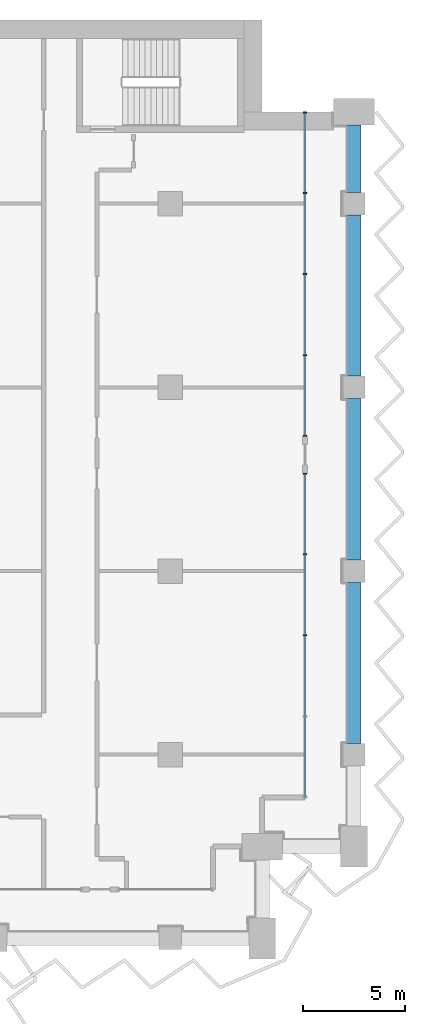
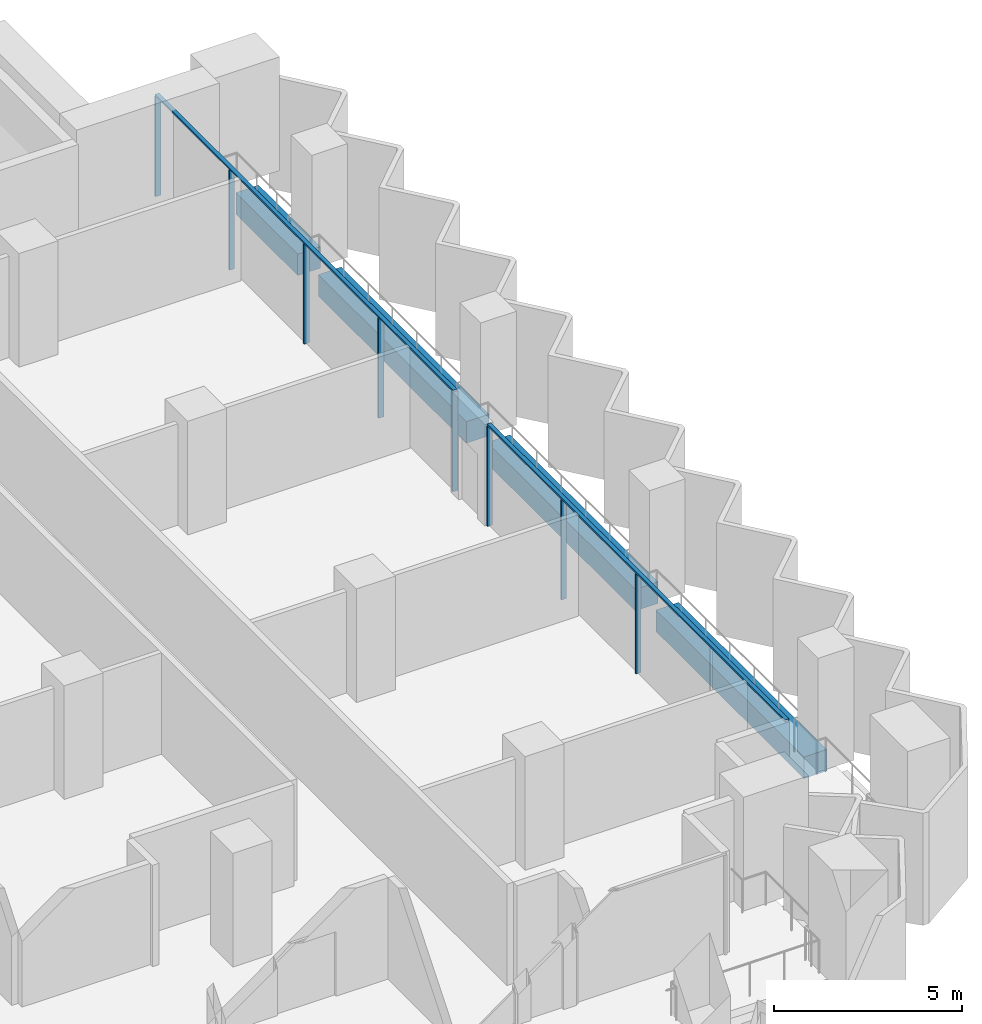
# One storey, part 5 of 22: 10 members, 4 beams, 2 elements without a shape of their own.
"""IFC4 building model written with IfcOpenShell, lengths in metres."""

from ifc_helpers import new_model, si_unit, direction, frame, origin, origin_2d, place, context, subcontext, project, spatial, rectangle, extrude, material, material_profile, profile_set, type_object, element, aggregate, save


model = new_model("IFC4")

# Units and contexts
model_context = context("Model", 3, precision=1e-05, world=origin(), true_north=direction((0.0, 1.0)))
body_context = subcontext(model_context, "Body", "Model", "MODEL_VIEW")
ifc_project = project(units=[si_unit("LENGTHUNIT", "METRE"), si_unit("AREAUNIT", "SQUARE_METRE"), si_unit("VOLUMEUNIT", "CUBIC_METRE"), si_unit("PLANEANGLEUNIT", "RADIAN"), si_unit("MASSUNIT", "GRAM", prefix="KILO")], contexts=[model_context])

# Site, building, storey
site_placement = place(None, origin())
site = spatial("IfcSite", under=ifc_project, at=site_placement, CompositionType="ELEMENT")
building_placement = place(site_placement, origin())
building = spatial("IfcBuilding", under=site, at=building_placement, Name="Hunhe Ridgeline Campus", CompositionType="ELEMENT")
storey_placement = place(building_placement, frame((0.0, 0.0, 137.5)))
storey = spatial("IfcBuildingStorey", under=building, at=storey_placement, Name="L34", CompositionType="ELEMENT", Elevation=137.5)

# Curtain wall, members
ifc_material_1 = material(Name="Aluminium 6063", Category="aluminium")
curtain_wall_type = type_object("IfcCurtainWallType", Name="Curtain wall CW-1", PredefinedType="NOTDEFINED", material=ifc_material_1)
curtain_wall_1_placement = place(storey_placement, origin())
curtain_wall_1 = element("IfcCurtainWall", 1, at=curtain_wall_1_placement, inside=storey, type_object=curtain_wall_type, Name="Curtain wall 15", PredefinedType="NOTDEFINED")
ifc_material_profile_1 = material_profile(ifc_material_1, rectangle(XDim=0.159912109375, YDim=0.06005859375, at=origin_2d()))
ifc_profile_set_1 = profile_set([ifc_material_profile_1], Name="Aluminium 6063")
member_type_1 = type_object("IfcMemberType", Name="CW-1 aluminium mullion", PredefinedType="MULLION", material=ifc_profile_set_1)
member_1_placement = place(storey_placement, frame((60.59912109375, 68.850830078125, 0.0), z_axis=(0.0, 0.0, 1.0), x_axis=(-1.0, 0.0, 0.0)))
member_1 = element("IfcMember", 2, at=member_1_placement, type_object=member_type_1, Name="CW-1 mullion 3", PredefinedType="MULLION", context=body_context, shape_type="SweptSolid", body=[
    extrude(rectangle(XDim=0.159912109375, YDim=0.06005859375, at=origin_2d()), origin(), (0.0, 0.0, 1.0), 3.239990234375),
])
member_2_placement = place(storey_placement, frame((60.59912109375, 72.82568359375, 0.0), z_axis=(0.0, 0.0, 1.0), x_axis=(-1.0, 0.0, 0.0)))
member_2 = element("IfcMember", 3, at=member_2_placement, type_object=member_type_1, Name="CW-1 mullion 4", PredefinedType="MULLION", context=body_context, shape_type="SweptSolid", body=[
    extrude(rectangle(XDim=0.159912109375, YDim=0.06005859375, at=origin_2d()), origin(), (0.0, 0.0, 1.0), 3.239990234375),
])
member_3_placement = place(storey_placement, frame((60.59912109375, 76.7705078125, 0.0), z_axis=(0.0, 0.0, 1.0), x_axis=(-1.0, 0.0, 0.0)))
member_3 = element("IfcMember", 4, at=member_3_placement, type_object=member_type_1, Name="CW-1 mullion 5", PredefinedType="MULLION", context=body_context, shape_type="SweptSolid", body=[
    extrude(rectangle(XDim=0.159912109375, YDim=0.06005859375, at=origin_2d()), origin(), (0.0, 0.0, 1.0), 3.239990234375),
])

curtain_wall_2_placement = place(storey_placement, origin())
curtain_wall_2 = element("IfcCurtainWall", 5, at=curtain_wall_2_placement, inside=storey, type_object=curtain_wall_type, Name="Curtain wall 16", PredefinedType="NOTDEFINED")
member_4_placement = place(storey_placement, frame((60.59912109375, 78.630615234375, 0.0), z_axis=(0.0, 0.0, 1.0), x_axis=(-1.0, 0.0, 0.0)))
member_4 = element("IfcMember", 6, at=member_4_placement, type_object=member_type_1, Name="CW-1 mullion 1", PredefinedType="MULLION", context=body_context, shape_type="SweptSolid", body=[
    extrude(rectangle(XDim=0.159912109375, YDim=0.06005859375, at=origin_2d()), origin(), (0.0, 0.0, 1.0), 3.239990234375),
])
member_5_placement = place(storey_placement, frame((60.59912109375, 82.575439453125, 0.0), z_axis=(0.0, 0.0, 1.0), x_axis=(-1.0, 0.0, 0.0)))
member_5 = element("IfcMember", 7, at=member_5_placement, type_object=member_type_1, Name="CW-1 mullion 2", PredefinedType="MULLION", context=body_context, shape_type="SweptSolid", body=[
    extrude(rectangle(XDim=0.159912109375, YDim=0.06005859375, at=origin_2d()), origin(), (0.0, 0.0, 1.0), 3.239990234375),
])
member_6_placement = place(storey_placement, frame((60.59912109375, 86.55029296875, 0.0), z_axis=(0.0, 0.0, 1.0), x_axis=(-1.0, 0.0, 0.0)))
member_6 = element("IfcMember", 8, at=member_6_placement, type_object=member_type_1, Name="CW-1 mullion 3", PredefinedType="MULLION", context=body_context, shape_type="SweptSolid", body=[
    extrude(rectangle(XDim=0.159912109375, YDim=0.06005859375, at=origin_2d()), origin(), (0.0, 0.0, 1.0), 3.239990234375),
])
member_7_placement = place(storey_placement, frame((60.59912109375, 90.525146484375, 0.0), z_axis=(0.0, 0.0, 1.0), x_axis=(-1.0, 0.0, 0.0)))
member_7 = element("IfcMember", 9, at=member_7_placement, type_object=member_type_1, Name="CW-1 mullion 4", PredefinedType="MULLION", context=body_context, shape_type="SweptSolid", body=[
    extrude(rectangle(XDim=0.159912109375, YDim=0.06005859375, at=origin_2d()), origin(), (0.0, 0.0, 1.0), 3.239990234375),
])
member_8_placement = place(storey_placement, frame((60.59912109375, 94.469970703125, 0.0), z_axis=(0.0, 0.0, 1.0), x_axis=(-1.0, 0.0, 0.0)))
member_8 = element("IfcMember", 10, at=member_8_placement, type_object=member_type_1, Name="CW-1 mullion 5", PredefinedType="MULLION", context=body_context, shape_type="SweptSolid", body=[
    extrude(rectangle(XDim=0.159912109375, YDim=0.06005859375, at=origin_2d()), origin(), (0.0, 0.0, 1.0), 3.239990234375),
])

# Member
ifc_material_profile_2 = material_profile(ifc_material_1, rectangle(XDim=0.1201171875, YDim=0.06005859375, at=origin_2d()))
ifc_profile_set_2 = profile_set([ifc_material_profile_2], Name="Aluminium 6063")
member_type_2 = type_object("IfcMemberType", Name="CW-1 aluminium transom", PredefinedType="USERDEFINED", material=ifc_profile_set_2)
member_9_placement = place(storey_placement, frame((60.59912109375, 60.90087890625, 3.27001953125), z_axis=(0.0, 1.0, 0.0), x_axis=(-1.0, 0.0, 0.0)))
member_9 = element("IfcMember", 11, at=member_9_placement, type_object=member_type_2, Name="CW-1 transom 1", ObjectType="TRANSOM", PredefinedType="USERDEFINED", context=body_context, shape_type="SweptSolid", body=[
    extrude(rectangle(XDim=0.1201171875, YDim=0.06005859375, at=origin_2d()), origin(), (0.0, 0.0, 1.0), 15.899658203125),
])

aggregate(curtain_wall_1, [member_9, member_1, member_2, member_3])

member_10_placement = place(storey_placement, frame((60.59912109375, 78.6005859375, 3.27001953125), z_axis=(0.0, 1.0, 0.0), x_axis=(-1.0, 0.0, 0.0)))
member_10 = element("IfcMember", 12, at=member_10_placement, type_object=member_type_2, Name="CW-1 transom 1", ObjectType="TRANSOM", PredefinedType="USERDEFINED", context=body_context, shape_type="SweptSolid", body=[
    extrude(rectangle(XDim=0.1201171875, YDim=0.06005859375, at=origin_2d()), origin(), (0.0, 0.0, 1.0), 15.8994140625),
])

aggregate(curtain_wall_2, [member_10, member_4, member_5, member_6, member_7, member_8])

# Beams
ifc_material_2 = material(Name="Concrete C60", Category="concrete")
ifc_material_profile_3 = material_profile(ifc_material_2, rectangle(XDim=0.699951171875, YDim=0.699951171875, at=origin_2d()))
ifc_profile_set_3 = profile_set([ifc_material_profile_3], Name="Concrete C60")
beam_type = type_object("IfcBeamType", Name="RC spandrel beam 700x700 Concrete C60", PredefinedType="SPANDREL", material=ifc_profile_set_3)
for number, where, z_axis, x_axis, name in (
    (13, (63.0, 63.550048828125, -0.60009765625), (0.0, 1.0, 0.0), (-1.0, 0.0, 0.0), "Spandrel beam B2-17 L34"),
    (14, (63.0, 72.550048828125, -0.60009765625), (0.0, 1.0, 0.0), (-1.0, 0.0, 0.0), "Spandrel beam B2-18 L34"),
    (15, (63.0, 81.550048828125, -0.60009765625), (0.0, 1.0, 0.0), (-1.0, 0.0, 0.0), "Spandrel beam B2-19 L34"),
):
    element("IfcBeam", number, at=place(storey_placement, frame(where, z_axis=z_axis, x_axis=x_axis)), inside=storey, type_object=beam_type, Name=name, PredefinedType="SPANDREL", context=body_context, shape_type="SweptSolid", body=[
        extrude(rectangle(XDim=0.699951171875, YDim=0.699951171875, at=origin_2d()), origin(), (0.0, 0.0, 1.0), 7.89990234375),
    ])
beam_placement = place(storey_placement, frame((63.0, 90.550048828125, -0.60009765625), z_axis=(0.0, 1.0, 0.0), x_axis=(-1.0, 0.0, 0.0)))
element("IfcBeam", 16, at=beam_placement, inside=storey, type_object=beam_type, Name="Spandrel beam B2-20 L34", PredefinedType="SPANDREL", context=body_context, shape_type="SweptSolid", body=[
    extrude(rectangle(XDim=0.699951171875, YDim=0.699951171875, at=origin_2d()), origin(), (0.0, 0.0, 1.0), 3.300048828125),
])

save(model, "model.ifc")
